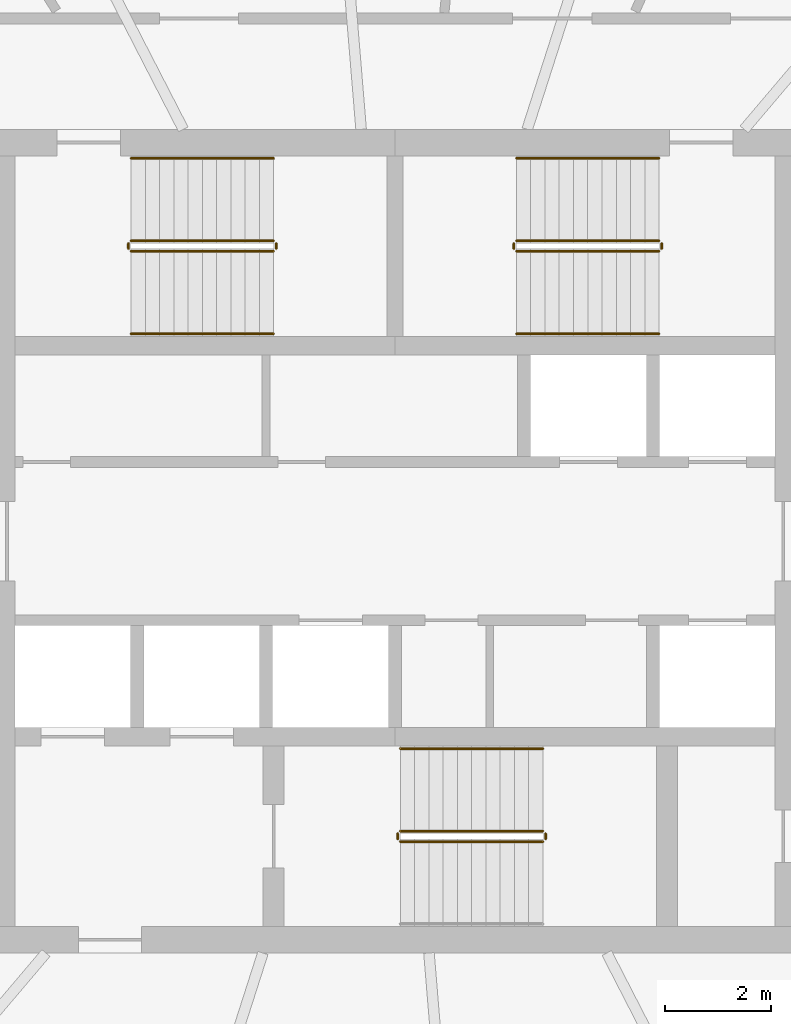
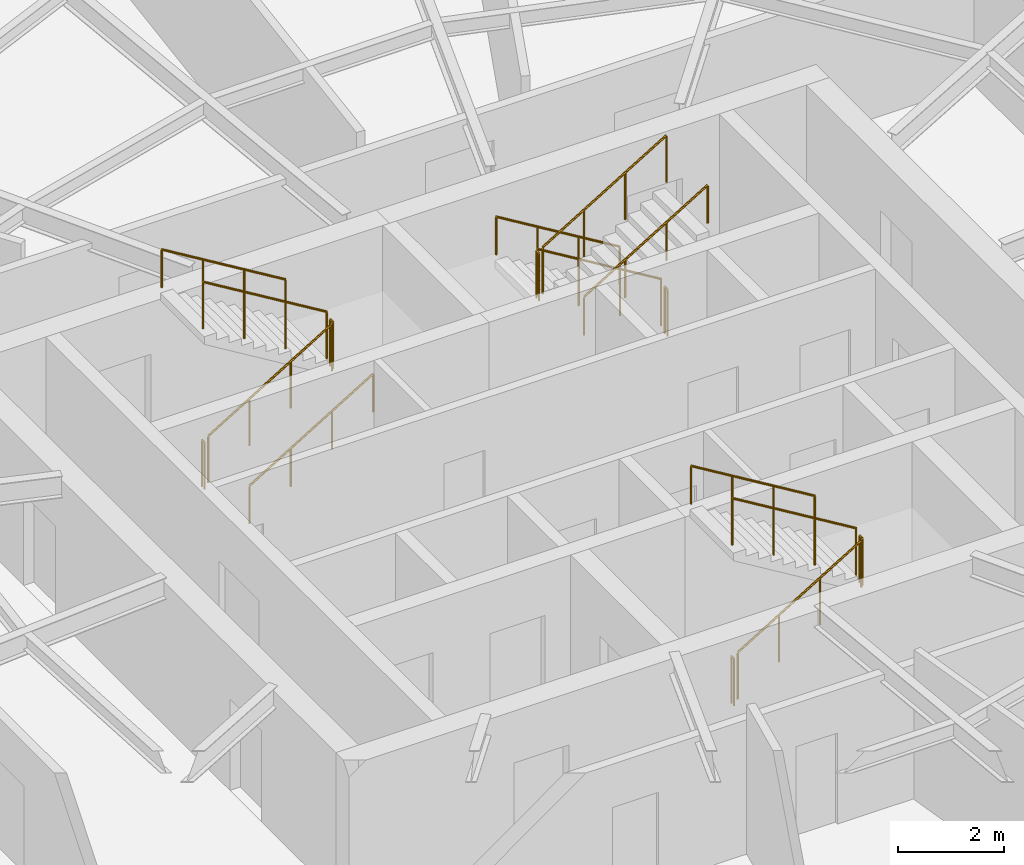
# One storey, part 12 of 13: 17 railings.
"""IFC4 building model written with IfcOpenShell, lengths in metres."""

import ifcopenshell
import ifcopenshell.guid

model = None  # the IFC model being written
_history = None  # IfcOwnerHistory: only IFC2X3 demands one
_inside = {}  # id of a spatial element -> (the spatial element, [elements in it])
_under = {}  # id of a project, library or spatial element -> (it, [spatial elements below it])
_declared = {}  # id of a project -> (the project, [libraries it declares])
_typed = {}  # id of a type object -> (the type object, [elements of that type])
_made_of = {}  # id of a material, layer set ... -> (it, [elements and type objects made of it])


def new_model(schema):
    """Start an empty IFC model of exactly this schema.

    Asked for "IFC4X3", IfcOpenShell would pick the latest addendum, in which some entities
    have other attributes; the version numbers below select the first issue.
    IFC2X3 requires an IfcOwnerHistory on every rooted entity: one is made here for all.
    """
    global model, _history
    if schema == "IFC4X3":
        model = ifcopenshell.file(schema_version=(4, 3, 0, 0))
    else:
        model = ifcopenshell.file(schema=schema)
    _inside.clear()
    _under.clear()
    _declared.clear()
    _typed.clear()
    _made_of.clear()
    _history = None
    if model.schema == "IFC2X3":
        org = make("IfcOrganization", Name="unknown")
        user = make(
            "IfcPersonAndOrganization",
            ThePerson=make("IfcPerson", FamilyName="unknown"),
            TheOrganization=org,
        )
        app = make(
            "IfcApplication",
            ApplicationDeveloper=org,
            Version="unknown",
            ApplicationFullName="unknown",
            ApplicationIdentifier="unknown",
        )
        _history = make(
            "IfcOwnerHistory",
            OwningUser=user,
            OwningApplication=app,
            ChangeAction="ADDED",
            CreationDate=0,
        )
    return model


def make(cls, **values):
    """One entity of the class cls with the attributes given. An attribute that is None is left unset."""
    return model.create_entity(
        cls, **{name: value for name, value in values.items() if value is not None}
    )


def rooted(cls, **values):
    """An entity with a GlobalId (a new one), such as an element, a storey or a relation."""
    return make(cls, GlobalId=ifcopenshell.guid.new(), OwnerHistory=_history, **values)


def si_unit(unit_type, name, prefix=None):
    """IfcSIUnit, for example si_unit("LENGTHUNIT", "METRE", prefix="MILLI")."""
    return make("IfcSIUnit", UnitType=unit_type, Prefix=prefix, Name=name)


def assignment(units):
    """IfcUnitAssignment: the units of a project."""
    return None if units is None else make("IfcUnitAssignment", Units=units)


def point(xyz):
    """IfcCartesianPoint."""
    return None if xyz is None else make("IfcCartesianPoint", Coordinates=xyz)


def direction(xyz):
    """IfcDirection."""
    return None if xyz is None else make("IfcDirection", DirectionRatios=xyz)


def frame(location, z_axis=None, x_axis=None):
    """IfcAxis2Placement3D, a coordinate frame: its origin and axes. An axis left out is left unset."""
    return make(
        "IfcAxis2Placement3D",
        Location=point(location),
        Axis=direction(z_axis),
        RefDirection=direction(x_axis),
    )


def frame_2d(location, x_axis=None):
    """IfcAxis2Placement2D, a coordinate frame in the plane: its origin and x axis."""
    return make(
        "IfcAxis2Placement2D", Location=point(location), RefDirection=direction(x_axis)
    )


def origin():
    """The frame at (0, 0, 0) with its axes left unset."""
    return frame((0.0, 0.0, 0.0))


def origin_2d():
    """The frame at (0, 0) in the plane with its x axis left unset."""
    return frame_2d((0.0, 0.0))


def place(relative_to, where):
    """IfcLocalPlacement: puts the frame where relative to a parent placement (None: the world)."""
    return make(
        "IfcLocalPlacement", PlacementRelTo=relative_to, RelativePlacement=where
    )


def context(
    kind, dimensions, precision=None, world=None, true_north=None, identifier=None
):
    """IfcGeometricRepresentationContext, for example the 3D "Model" context."""
    return make(
        "IfcGeometricRepresentationContext",
        ContextIdentifier=identifier,
        ContextType=kind,
        CoordinateSpaceDimension=dimensions,
        Precision=precision,
        WorldCoordinateSystem=world,
        TrueNorth=true_north,
    )


def subcontext(parent, identifier, kind, view, scale=None):
    """IfcGeometricRepresentationSubContext, for example "Body" below "Model"."""
    return make(
        "IfcGeometricRepresentationSubContext",
        ContextIdentifier=identifier,
        ContextType=kind,
        ParentContext=parent,
        TargetScale=scale,
        TargetView=view,
    )


def project(units=None, contexts=None):
    """IfcProject with its units and contexts."""
    return rooted(
        "IfcProject",
        Name="project",
        RepresentationContexts=contexts,
        UnitsInContext=assignment(units),
    )


def spatial(cls, under=None, at=None, **own):
    """A site, building, storey or space (cls), placed at a placement, below another one or the project."""
    s = rooted(cls, ObjectPlacement=at, **own)
    if under is not None:
        _under.setdefault(under.id(), (under, []))[1].append(s)
    return s


def profile(cls, at=None, kind="AREA", **sizes):
    """A parametric profile (cls). Its sizes go by their IFC names, for example OverallWidth=200.0."""
    return make(cls, ProfileType=kind, Position=at, **sizes)


def circle(**sizes):
    """IfcCircleProfileDef."""
    return profile("IfcCircleProfileDef", **sizes)


def extrude(swept, where, along, depth):
    """IfcExtrudedAreaSolid: the profile swept, set in the frame where, extruded along a direction by depth."""
    return make(
        "IfcExtrudedAreaSolid",
        SweptArea=swept,
        Position=where,
        ExtrudedDirection=direction(along),
        Depth=depth,
    )


def shape(context_of_items, identifier, shape_type, items):
    """IfcShapeRepresentation: the items that make up one representation, for example the "Body"."""
    return make(
        "IfcShapeRepresentation",
        ContextOfItems=context_of_items,
        RepresentationIdentifier=identifier,
        RepresentationType=shape_type,
        Items=items,
    )


def material(Name=None, Category=None):
    """IfcMaterial."""
    return make("IfcMaterial", Name=Name, Category=Category)


def made_of(thing, what):
    """Note that an element or type object is made of a material, layer set ...; save() writes the relation."""
    if what is not None:
        _made_of.setdefault(what.id(), (what, []))[1].append(thing)
    return thing


def type_object(cls, material=None, **own):
    """A type object (cls), such as IfcWallType, which elements share."""
    return made_of(rooted(cls, **own), material)


def element(
    cls,
    number,
    at=None,
    inside=None,
    cuts=None,
    type_object=None,
    material=None,
    context=None,
    identifier="Body",
    shape_type=None,
    held_by="IfcProductDefinitionShape",
    body=None,
    shapes=None,
    **own,
):
    """One element of the class cls, such as IfcWall. Its Tag is "e" and its number.

    at: its placement. inside: the storey or other place that contains it. cuts: it is an
    opening in that element (IfcRelVoidsElement). A single representation is given by context,
    identifier, shape_type and body (its items); several are given by shapes. held_by: the class
    of the entity that holds the representations. save() writes the other relations.
    """
    e = rooted(cls, Tag="e%d" % number, ObjectPlacement=at, **own)
    if body is not None:
        shapes = [shape(context, identifier, shape_type, body)]
    if shapes is not None:
        e.Representation = make(held_by, Representations=shapes)
    if inside is not None:
        _inside.setdefault(inside.id(), (inside, []))[1].append(e)
    if cuts is not None:
        rooted(
            "IfcRelVoidsElement", RelatingBuildingElement=cuts, RelatedOpeningElement=e
        )
    if type_object is not None:
        _typed.setdefault(type_object.id(), (type_object, []))[1].append(e)
    return made_of(e, material)


def aggregate(whole, parts):
    """IfcRelAggregates: a whole, such as a stair, and the parts it consists of."""
    return rooted("IfcRelAggregates", RelatingObject=whole, RelatedObjects=parts)


def save(model, path):
    """Write the relations noted so far, then the file.

    IfcRelAggregates (storeys below a building ...), IfcRelContainedInSpatialStructure (elements
    in a storey), IfcRelDefinesByType, IfcRelAssociatesMaterial and IfcRelDeclares: one each for
    every whole, place, type object, material and project.
    """
    for whole, parts in _under.values():
        aggregate(whole, parts)
    for where, things in _inside.values():
        rooted(
            "IfcRelContainedInSpatialStructure",
            RelatedElements=things,
            RelatingStructure=where,
        )
    for kind, things in _typed.values():
        rooted("IfcRelDefinesByType", RelatedObjects=things, RelatingType=kind)
    for what, things in _made_of.values():
        rooted("IfcRelAssociatesMaterial", RelatedObjects=things, RelatingMaterial=what)
    for by, libraries in _declared.values():
        rooted("IfcRelDeclares", RelatingContext=by, RelatedDefinitions=libraries)
    model.write(path)


model = new_model("IFC4")

# Units and contexts
model_context = context("Model", 3, precision=1e-05, world=origin(), true_north=direction((0.0, 1.0)))
body_context = subcontext(model_context, "Body", "Model", "MODEL_VIEW")
ifc_project = project(units=[si_unit("LENGTHUNIT", "METRE"), si_unit("AREAUNIT", "SQUARE_METRE"), si_unit("VOLUMEUNIT", "CUBIC_METRE"), si_unit("PLANEANGLEUNIT", "RADIAN"), si_unit("MASSUNIT", "GRAM", prefix="KILO")], contexts=[model_context])

# Site, building, storey
site_placement = place(None, origin())
site = spatial("IfcSite", under=ifc_project, at=site_placement, CompositionType="ELEMENT")
building_placement = place(site_placement, origin())
building = spatial("IfcBuilding", under=site, at=building_placement, Name="Vermilion Reach Broadcast Tower", CompositionType="ELEMENT")
storey_placement = place(building_placement, frame((0.0, 0.0, 272.10009765625)))
storey = spatial("IfcBuildingStorey", under=building, at=storey_placement, Name="L67", CompositionType="ELEMENT", Elevation=272.10009765625)

# Railings
ifc_material_1 = material(Name="Stainless steel", Category="steel")
railing_type_1 = type_object("IfcRailingType", Name="Stair guard 1100", PredefinedType="GUARDRAIL", material=ifc_material_1)
railing_1_placement = place(storey_placement, frame((-11.0, 5.489990234375, 0.16357421875)))
element("IfcRailing", 1, at=railing_1_placement, inside=storey, type_object=railing_type_1, Name="L67 ST1 stair guard 1", PredefinedType="GUARDRAIL", context=body_context, shape_type="SweptSolid", body=[
    extrude(circle(Radius=0.02392578125, at=origin_2d()), frame((0.0, 0.0, 1.076171875), z_axis=(0.855212373127, 0.0, 0.518277721738), x_axis=(0.0, 1.0, 0.0)), (0.0, 0.0, 1.0), 3.156982421875),
    extrude(circle(Radius=0.02099609375, at=origin_2d()), origin(), (0.0, 0.0, 1.0), 1.052001953125),
    extrude(circle(Radius=0.02099609375, at=origin_2d()), frame((0.89990234375, 0.0, 0.54541015625)), (0.0, 0.0, 1.0), 1.052001953125),
    extrude(circle(Radius=0.02099609375, at=origin_2d()), frame((1.800048828125, 0.0, 1.0908203125)), (0.0, 0.0, 1.0), 1.052001953125),
    extrude(circle(Radius=0.02099609375, at=origin_2d()), frame((2.699951171875, 0.0, 1.63623046875)), (0.0, 0.0, 1.0), 1.052001953125),
])
railing_2_placement = place(storey_placement, frame((-8.25, 5.5400390625, 1.7998046875)))
element("IfcRailing", 2, at=railing_2_placement, inside=storey, type_object=railing_type_1, Name="L67 ST1 stair guard 2", PredefinedType="GUARDRAIL", context=body_context, shape_type="SweptSolid", body=[
    extrude(circle(Radius=0.02392578125, at=origin_2d()), frame((0.0, 0.0, 1.076171875), z_axis=(0.0, 1.0, 0.0), x_axis=(-1.0, 0.0, 0.0)), (0.0, 0.0, 1.0), 0.099853515625),
    extrude(circle(Radius=0.02099609375, at=origin_2d()), origin(), (0.0, 0.0, 1.0), 1.052001953125),
    extrude(circle(Radius=0.02099609375, at=origin_2d()), frame((0.0, 0.099853515625, 0.0)), (0.0, 0.0, 1.0), 1.052001953125),
])
railing_3_placement = place(storey_placement, frame((-8.300048828125, 5.68994140625, 1.963623046875)))
element("IfcRailing", 3, at=railing_3_placement, inside=storey, type_object=railing_type_1, Name="L67 ST1 stair guard 3", PredefinedType="GUARDRAIL", context=body_context, shape_type="SweptSolid", body=[
    extrude(circle(Radius=0.02392578125, at=origin_2d()), frame((0.0, 0.0, 1.076171875), z_axis=(-0.855212373127, 0.0, 0.518277721738), x_axis=(0.0, -1.0, 0.0)), (0.0, 0.0, 1.0), 3.156982421875),
    extrude(circle(Radius=0.02099609375, at=origin_2d()), origin(), (0.0, 0.0, 1.0), 1.052001953125),
    extrude(circle(Radius=0.02099609375, at=origin_2d()), frame((-0.89990234375, 0.0, 0.54541015625)), (0.0, 0.0, 1.0), 1.052001953125),
    extrude(circle(Radius=0.02099609375, at=origin_2d()), frame((-1.800048828125, 0.0, 1.0908203125)), (0.0, 0.0, 1.0), 1.052001953125),
    extrude(circle(Radius=0.02099609375, at=origin_2d()), frame((-2.699951171875, 0.0, 1.63623046875)), (0.0, 0.0, 1.0), 1.052001953125),
])
railing_4_placement = place(storey_placement, frame((-11.050048828125, 5.5400390625, 0.0)))
element("IfcRailing", 4, at=railing_4_placement, inside=storey, type_object=railing_type_1, Name="L67 ST1 stair guard 4", PredefinedType="GUARDRAIL", context=body_context, shape_type="SweptSolid", body=[
    extrude(circle(Radius=0.02392578125, at=origin_2d()), frame((0.0, 0.0, 1.076171875), z_axis=(0.0, 1.0, 0.0), x_axis=(-1.0, 0.0, 0.0)), (0.0, 0.0, 1.0), 0.099853515625),
    extrude(circle(Radius=0.02099609375, at=origin_2d()), origin(), (0.0, 0.0, 1.0), 1.052001953125),
    extrude(circle(Radius=0.02099609375, at=origin_2d()), frame((0.0, 0.099853515625, 0.0)), (0.0, 0.0, 1.0), 1.052001953125),
])
railing_5_placement = place(storey_placement, frame((-1.0, 5.68994140625, 0.16357421875)))
element("IfcRailing", 5, at=railing_5_placement, inside=storey, type_object=railing_type_1, Name="L67 ST2 stair guard 1", PredefinedType="GUARDRAIL", context=body_context, shape_type="SweptSolid", body=[
    extrude(circle(Radius=0.02392578125, at=origin_2d()), frame((0.0, 0.0, 1.076171875), z_axis=(-0.855212373127, 0.0, 0.518277721738), x_axis=(0.0, -1.0, 0.0)), (0.0, 0.0, 1.0), 3.156982421875),
    extrude(circle(Radius=0.02099609375, at=origin_2d()), origin(), (0.0, 0.0, 1.0), 1.052001953125),
    extrude(circle(Radius=0.02099609375, at=origin_2d()), frame((-0.89990234375, 0.0, 0.54541015625)), (0.0, 0.0, 1.0), 1.052001953125),
    extrude(circle(Radius=0.02099609375, at=origin_2d()), frame((-1.800048828125, 0.0, 1.0908203125)), (0.0, 0.0, 1.0), 1.052001953125),
    extrude(circle(Radius=0.02099609375, at=origin_2d()), frame((-2.699951171875, 0.0, 1.63623046875)), (0.0, 0.0, 1.0), 1.052001953125),
])
railing_6_placement = place(storey_placement, frame((-3.75, 5.639892578125, 1.7998046875)))
element("IfcRailing", 6, at=railing_6_placement, inside=storey, type_object=railing_type_1, Name="L67 ST2 stair guard 2", PredefinedType="GUARDRAIL", context=body_context, shape_type="SweptSolid", body=[
    extrude(circle(Radius=0.02392578125, at=origin_2d()), frame((0.0, 0.0, 1.076171875), z_axis=(0.0, -1.0, 0.0), x_axis=(1.0, 0.0, 0.0)), (0.0, 0.0, 1.0), 0.099853515625),
    extrude(circle(Radius=0.02099609375, at=origin_2d()), origin(), (0.0, 0.0, 1.0), 1.052001953125),
    extrude(circle(Radius=0.02099609375, at=origin_2d()), frame((0.0, -0.099853515625, 0.0)), (0.0, 0.0, 1.0), 1.052001953125),
])
railing_7_placement = place(storey_placement, frame((-3.699951171875, 5.489990234375, 1.963623046875)))
element("IfcRailing", 7, at=railing_7_placement, inside=storey, type_object=railing_type_1, Name="L67 ST2 stair guard 3", PredefinedType="GUARDRAIL", context=body_context, shape_type="SweptSolid", body=[
    extrude(circle(Radius=0.02392578125, at=origin_2d()), frame((0.0, 0.0, 1.076171875), z_axis=(0.855212373127, 0.0, 0.518277721738), x_axis=(0.0, 1.0, 0.0)), (0.0, 0.0, 1.0), 3.156982421875),
    extrude(circle(Radius=0.02099609375, at=origin_2d()), origin(), (0.0, 0.0, 1.0), 1.052001953125),
    extrude(circle(Radius=0.02099609375, at=origin_2d()), frame((0.89990234375, 0.0, 0.54541015625)), (0.0, 0.0, 1.0), 1.052001953125),
    extrude(circle(Radius=0.02099609375, at=origin_2d()), frame((1.800048828125, 0.0, 1.0908203125)), (0.0, 0.0, 1.0), 1.052001953125),
    extrude(circle(Radius=0.02099609375, at=origin_2d()), frame((2.699951171875, 0.0, 1.63623046875)), (0.0, 0.0, 1.0), 1.052001953125),
])
railing_8_placement = place(storey_placement, frame((-0.949951171875, 5.639892578125, 0.0)))
element("IfcRailing", 8, at=railing_8_placement, inside=storey, type_object=railing_type_1, Name="L67 ST2 stair guard 4", PredefinedType="GUARDRAIL", context=body_context, shape_type="SweptSolid", body=[
    extrude(circle(Radius=0.02392578125, at=origin_2d()), frame((0.0, 0.0, 1.076171875), z_axis=(0.0, -1.0, 0.0), x_axis=(1.0, 0.0, 0.0)), (0.0, 0.0, 1.0), 0.099853515625),
    extrude(circle(Radius=0.02099609375, at=origin_2d()), origin(), (0.0, 0.0, 1.0), 1.052001953125),
    extrude(circle(Radius=0.02099609375, at=origin_2d()), frame((0.0, -0.099853515625, 0.0)), (0.0, 0.0, 1.0), 1.052001953125),
])
railing_9_placement = place(storey_placement, frame((-5.89990234375, -5.68994140625, 0.16357421875)))
element("IfcRailing", 9, at=railing_9_placement, inside=storey, type_object=railing_type_1, Name="L67 ST3 stair guard 1", PredefinedType="GUARDRAIL", context=body_context, shape_type="SweptSolid", body=[
    extrude(circle(Radius=0.02392578125, at=origin_2d()), frame((0.0, 0.0, 1.076171875), z_axis=(0.855212373127, 0.0, 0.518277721738), x_axis=(0.0, 1.0, 0.0)), (0.0, 0.0, 1.0), 3.156982421875),
    extrude(circle(Radius=0.02099609375, at=origin_2d()), origin(), (0.0, 0.0, 1.0), 1.052001953125),
    extrude(circle(Radius=0.02099609375, at=origin_2d()), frame((0.89990234375, 0.0, 0.54541015625)), (0.0, 0.0, 1.0), 1.052001953125),
    extrude(circle(Radius=0.02099609375, at=origin_2d()), frame((1.800048828125, 0.0, 1.0908203125)), (0.0, 0.0, 1.0), 1.052001953125),
    extrude(circle(Radius=0.02099609375, at=origin_2d()), frame((2.699951171875, 0.0, 1.63623046875)), (0.0, 0.0, 1.0), 1.052001953125),
])
railing_10_placement = place(storey_placement, frame((-3.14990234375, -5.639892578125, 1.7998046875)))
element("IfcRailing", 10, at=railing_10_placement, inside=storey, type_object=railing_type_1, Name="L67 ST3 stair guard 2", PredefinedType="GUARDRAIL", context=body_context, shape_type="SweptSolid", body=[
    extrude(circle(Radius=0.02392578125, at=origin_2d()), frame((0.0, 0.0, 1.076171875), z_axis=(0.0, 1.0, 0.0), x_axis=(-1.0, 0.0, 0.0)), (0.0, 0.0, 1.0), 0.099853515625),
    extrude(circle(Radius=0.02099609375, at=origin_2d()), origin(), (0.0, 0.0, 1.0), 1.052001953125),
    extrude(circle(Radius=0.02099609375, at=origin_2d()), frame((0.0, 0.099853515625, 0.0)), (0.0, 0.0, 1.0), 1.052001953125),
])
railing_11_placement = place(storey_placement, frame((-3.199951171875, -5.489990234375, 1.963623046875)))
element("IfcRailing", 11, at=railing_11_placement, inside=storey, type_object=railing_type_1, Name="L67 ST3 stair guard 3", PredefinedType="GUARDRAIL", context=body_context, shape_type="SweptSolid", body=[
    extrude(circle(Radius=0.02392578125, at=origin_2d()), frame((0.0, 0.0, 1.076171875), z_axis=(-0.855212373127, 0.0, 0.518277721738), x_axis=(0.0, -1.0, 0.0)), (0.0, 0.0, 1.0), 3.156982421875),
    extrude(circle(Radius=0.02099609375, at=origin_2d()), origin(), (0.0, 0.0, 1.0), 1.052001953125),
    extrude(circle(Radius=0.02099609375, at=origin_2d()), frame((-0.89990234375, 0.0, 0.54541015625)), (0.0, 0.0, 1.0), 1.052001953125),
    extrude(circle(Radius=0.02099609375, at=origin_2d()), frame((-1.800048828125, 0.0, 1.0908203125)), (0.0, 0.0, 1.0), 1.052001953125),
    extrude(circle(Radius=0.02099609375, at=origin_2d()), frame((-2.699951171875, 0.0, 1.63623046875)), (0.0, 0.0, 1.0), 1.052001953125),
])
railing_12_placement = place(storey_placement, frame((-5.949951171875, -5.639892578125, 0.0)))
element("IfcRailing", 12, at=railing_12_placement, inside=storey, type_object=railing_type_1, Name="L67 ST3 stair guard 4", PredefinedType="GUARDRAIL", context=body_context, shape_type="SweptSolid", body=[
    extrude(circle(Radius=0.02392578125, at=origin_2d()), frame((0.0, 0.0, 1.076171875), z_axis=(0.0, 1.0, 0.0), x_axis=(-1.0, 0.0, 0.0)), (0.0, 0.0, 1.0), 0.099853515625),
    extrude(circle(Radius=0.02099609375, at=origin_2d()), origin(), (0.0, 0.0, 1.0), 1.052001953125),
    extrude(circle(Radius=0.02099609375, at=origin_2d()), frame((0.0, 0.099853515625, 0.0)), (0.0, 0.0, 1.0), 1.052001953125),
])
ifc_material_2 = material(Name="Stainless steel", Category="steel")
railing_type_2 = type_object("IfcRailingType", Name="Stair handrail", PredefinedType="HANDRAIL", material=ifc_material_2)
railing_13_placement = place(storey_placement, frame((-11.0, 3.929931640625, 0.16357421875)))
element("IfcRailing", 13, at=railing_13_placement, inside=storey, type_object=railing_type_2, Name="L67 ST1 stair handrail 1", PredefinedType="HANDRAIL", context=body_context, shape_type="SweptSolid", body=[
    extrude(circle(Radius=0.02392578125, at=origin_2d()), frame((0.0, 0.0, 0.8759765625), z_axis=(0.855212373127, 0.0, 0.518277721738), x_axis=(0.0, 1.0, 0.0)), (0.0, 0.0, 1.0), 3.156982421875),
    extrude(circle(Radius=0.02099609375, at=origin_2d()), origin(), (0.0, 0.0, 1.0), 0.851806640625),
    extrude(circle(Radius=0.02099609375, at=origin_2d()), frame((0.89990234375, 0.0, 0.54541015625)), (0.0, 0.0, 1.0), 0.851806640625),
    extrude(circle(Radius=0.02099609375, at=origin_2d()), frame((1.800048828125, 0.0, 1.0908203125)), (0.0, 0.0, 1.0), 0.851806640625),
    extrude(circle(Radius=0.02099609375, at=origin_2d()), frame((2.699951171875, 0.0, 1.63623046875)), (0.0, 0.0, 1.0), 0.851806640625),
])
for number, where, name in (
    (14, (-8.300048828125, 7.25, 1.963623046875), "L67 ST1 stair handrail 2"),
    (15, (-1.0, 7.25, 0.16357421875), "L67 ST2 stair handrail 1"),
):
    element("IfcRailing", number, at=place(storey_placement, frame(where)), inside=storey, type_object=railing_type_2, Name=name, PredefinedType="HANDRAIL", context=body_context, shape_type="SweptSolid", body=[
        extrude(circle(Radius=0.02392578125, at=origin_2d()), frame((0.0, 0.0, 0.8759765625), z_axis=(-0.855212373127, 0.0, 0.518277721738), x_axis=(0.0, -1.0, 0.0)), (0.0, 0.0, 1.0), 3.156982421875),
        extrude(circle(Radius=0.02099609375, at=origin_2d()), origin(), (0.0, 0.0, 1.0), 0.851806640625),
        extrude(circle(Radius=0.02099609375, at=origin_2d()), frame((-0.89990234375, 0.0, 0.54541015625)), (0.0, 0.0, 1.0), 0.851806640625),
        extrude(circle(Radius=0.02099609375, at=origin_2d()), frame((-1.800048828125, 0.0, 1.0908203125)), (0.0, 0.0, 1.0), 0.851806640625),
        extrude(circle(Radius=0.02099609375, at=origin_2d()), frame((-2.699951171875, 0.0, 1.63623046875)), (0.0, 0.0, 1.0), 0.851806640625),
    ])
railing_14_placement = place(storey_placement, frame((-3.699951171875, 3.929931640625, 1.963623046875)))
element("IfcRailing", 16, at=railing_14_placement, inside=storey, type_object=railing_type_2, Name="L67 ST2 stair handrail 2", PredefinedType="HANDRAIL", context=body_context, shape_type="SweptSolid", body=[
    extrude(circle(Radius=0.02392578125, at=origin_2d()), frame((0.0, 0.0, 0.8759765625), z_axis=(0.855212373127, 0.0, 0.518277721738), x_axis=(0.0, 1.0, 0.0)), (0.0, 0.0, 1.0), 3.156982421875),
    extrude(circle(Radius=0.02099609375, at=origin_2d()), origin(), (0.0, 0.0, 1.0), 0.851806640625),
    extrude(circle(Radius=0.02099609375, at=origin_2d()), frame((0.89990234375, 0.0, 0.54541015625)), (0.0, 0.0, 1.0), 0.851806640625),
    extrude(circle(Radius=0.02099609375, at=origin_2d()), frame((1.800048828125, 0.0, 1.0908203125)), (0.0, 0.0, 1.0), 0.851806640625),
    extrude(circle(Radius=0.02099609375, at=origin_2d()), frame((2.699951171875, 0.0, 1.63623046875)), (0.0, 0.0, 1.0), 0.851806640625),
])
railing_15_placement = place(storey_placement, frame((-3.199951171875, -3.929931640625, 1.963623046875)))
element("IfcRailing", 17, at=railing_15_placement, inside=storey, type_object=railing_type_2, Name="L67 ST3 stair handrail 2", PredefinedType="HANDRAIL", context=body_context, shape_type="SweptSolid", body=[
    extrude(circle(Radius=0.02392578125, at=origin_2d()), frame((0.0, 0.0, 0.8759765625), z_axis=(-0.855212373127, 0.0, 0.518277721738), x_axis=(0.0, -1.0, 0.0)), (0.0, 0.0, 1.0), 3.156982421875),
    extrude(circle(Radius=0.02099609375, at=origin_2d()), origin(), (0.0, 0.0, 1.0), 0.851806640625),
    extrude(circle(Radius=0.02099609375, at=origin_2d()), frame((-0.89990234375, 0.0, 0.54541015625)), (0.0, 0.0, 1.0), 0.851806640625),
    extrude(circle(Radius=0.02099609375, at=origin_2d()), frame((-1.800048828125, 0.0, 1.0908203125)), (0.0, 0.0, 1.0), 0.851806640625),
    extrude(circle(Radius=0.02099609375, at=origin_2d()), frame((-2.699951171875, 0.0, 1.63623046875)), (0.0, 0.0, 1.0), 0.851806640625),
])

save(model, "model.ifc")
